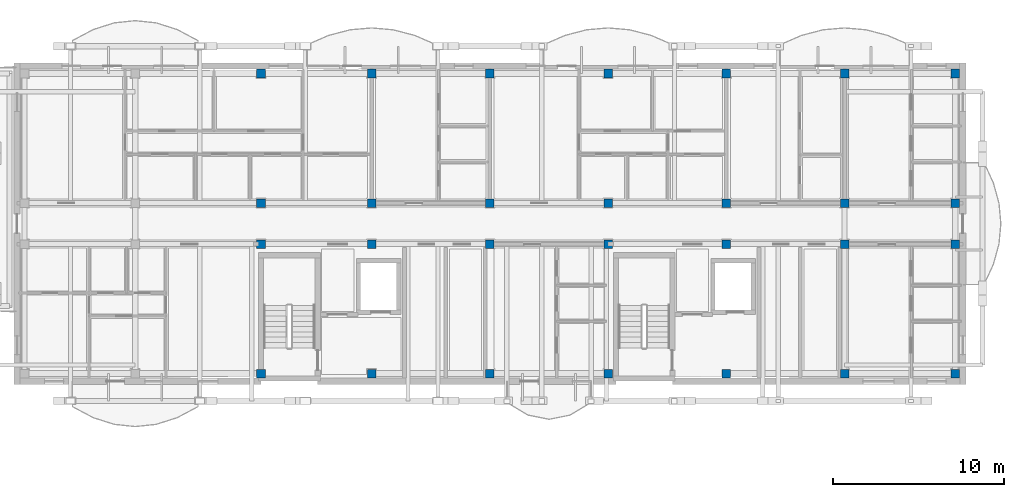
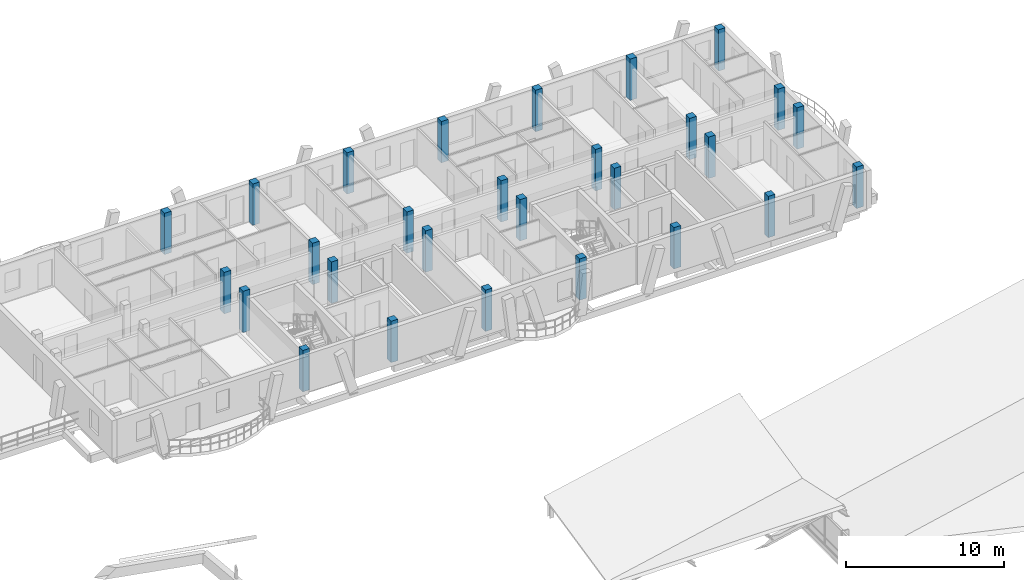
# One storey, part 12 of 109: 28 columns.
"""IFC4 building model written with IfcOpenShell, lengths in metres."""

from ifc_helpers import new_model, si_unit, direction, frame, origin, origin_2d, place, context, subcontext, project, spatial, rectangle, extrude, material, material_profile, profile_set, type_object, element, save


model = new_model("IFC4")

# Units and contexts
model_context = context("Model", 3, precision=1e-05, world=origin(), true_north=direction((0.0, 1.0)))
body_context = subcontext(model_context, "Body", "Model", "MODEL_VIEW")
ifc_project = project(units=[si_unit("LENGTHUNIT", "METRE"), si_unit("AREAUNIT", "SQUARE_METRE"), si_unit("VOLUMEUNIT", "CUBIC_METRE"), si_unit("PLANEANGLEUNIT", "RADIAN"), si_unit("MASSUNIT", "GRAM", prefix="KILO")], contexts=[model_context])

# Site, building, storey
site_placement = place(None, origin())
site = spatial("IfcSite", under=ifc_project, at=site_placement, CompositionType="ELEMENT")
building_placement = place(site_placement, origin())
building = spatial("IfcBuilding", under=site, at=building_placement, Name="Zavelmont Quarter", CompositionType="ELEMENT")
storey_placement = place(building_placement, frame((0.0, 0.0, 8.0)))
storey = spatial("IfcBuildingStorey", under=building, at=storey_placement, Name="L02", CompositionType="ELEMENT", Elevation=8.0)

# Columns
ifc_material = material(Name="Concrete C40/50", Category="concrete")
ifc_material_profile = material_profile(ifc_material, rectangle(XDim=0.5, YDim=0.5, at=origin_2d()), Name="RC500X500")
ifc_profile_set = profile_set([ifc_material_profile], Name="Concrete C40/50")
column_type = type_object("IfcColumnType", Name="CL03", PredefinedType="COLUMN", material=ifc_profile_set)
for number, where, z_axis, x_axis, name in (
    (1, (127.0400390625, 98.0400390625, 0.0), (0.0, 0.0, 1.0), (1.0, 0.0, 0.0), "L02 column CL03 at 19/P"),
    (2, (127.0400390625, 105.60009765625, 0.0), (0.0, 0.0, 1.0), (1.0, 0.0, 0.0), "L02 column CL03 at 19/Q"),
    (3, (127.0400390625, 108.0, 0.0), (0.0, 0.0, 1.0), (1.0, 0.0, 0.0), "L02 column CL03 at 19/R"),
    (4, (127.0400390625, 115.56005859375, 0.0), (0.0, 0.0, 1.0), (1.0, 0.0, 0.0), "L02 column CL03 at 19/S"),
    (5, (133.5, 98.0400390625, 0.0), (0.0, 0.0, 1.0), (1.0, 0.0, 0.0), "L02 column CL03 at 20/P"),
    (6, (133.5, 105.60009765625, 0.0), (0.0, 0.0, 1.0), (1.0, 0.0, 0.0), "L02 column CL03 at 20/Q"),
    (7, (133.5, 108.0, 0.0), (0.0, 0.0, 1.0), (1.0, 0.0, 0.0), "L02 column CL03 at 20/R"),
    (8, (133.5, 115.56005859375, 0.0), (0.0, 0.0, 1.0), (1.0, 0.0, 0.0), "L02 column CL03 at 20/S"),
    (9, (140.39990234375, 98.0400390625, 0.0), (0.0, 0.0, 1.0), (1.0, 0.0, 0.0), "L02 column CL03 at 21/P"),
    (10, (140.39990234375, 105.60009765625, 0.0), (0.0, 0.0, 1.0), (1.0, 0.0, 0.0), "L02 column CL03 at 21/Q"),
    (11, (140.39990234375, 108.0, 0.0), (0.0, 0.0, 1.0), (1.0, 0.0, 0.0), "L02 column CL03 at 21/R"),
    (12, (140.39990234375, 115.56005859375, 0.0), (0.0, 0.0, 1.0), (1.0, 0.0, 0.0), "L02 column CL03 at 21/S"),
    (13, (147.300048828125, 98.0400390625, 0.0), (0.0, 0.0, 1.0), (1.0, 0.0, 0.0), "L02 column CL03 at 22/P"),
    (14, (147.300048828125, 105.60009765625, 0.0), (0.0, 0.0, 1.0), (1.0, 0.0, 0.0), "L02 column CL03 at 22/Q"),
    (15, (147.300048828125, 108.0, 0.0), (0.0, 0.0, 1.0), (1.0, 0.0, 0.0), "L02 column CL03 at 22/R"),
    (16, (147.300048828125, 115.56005859375, 0.0), (0.0, 0.0, 1.0), (1.0, 0.0, 0.0), "L02 column CL03 at 22/S"),
    (17, (154.199951171875, 98.0400390625, 0.0), (0.0, 0.0, 1.0), (1.0, 0.0, 0.0), "L02 column CL03 at 23/P"),
    (18, (154.199951171875, 105.60009765625, 0.0), (0.0, 0.0, 1.0), (1.0, 0.0, 0.0), "L02 column CL03 at 23/Q"),
    (19, (154.199951171875, 108.0, 0.0), (0.0, 0.0, 1.0), (1.0, 0.0, 0.0), "L02 column CL03 at 23/R"),
    (20, (154.199951171875, 115.56005859375, 0.0), (0.0, 0.0, 1.0), (1.0, 0.0, 0.0), "L02 column CL03 at 23/S"),
    (21, (161.10009765625, 98.0400390625, 0.0), (0.0, 0.0, 1.0), (1.0, 0.0, 0.0), "L02 column CL03 at 24/P"),
    (22, (161.10009765625, 105.60009765625, 0.0), (0.0, 0.0, 1.0), (1.0, 0.0, 0.0), "L02 column CL03 at 24/Q"),
    (23, (161.10009765625, 108.0, 0.0), (0.0, 0.0, 1.0), (1.0, 0.0, 0.0), "L02 column CL03 at 24/R"),
    (24, (161.10009765625, 115.56005859375, 0.0), (0.0, 0.0, 1.0), (1.0, 0.0, 0.0), "L02 column CL03 at 24/S"),
    (25, (167.56005859375, 98.0400390625, 0.0), (0.0, 0.0, 1.0), (1.0, 0.0, 0.0), "L02 column CL03 at 25/P"),
    (26, (167.56005859375, 105.60009765625, 0.0), (0.0, 0.0, 1.0), (1.0, 0.0, 0.0), "L02 column CL03 at 25/Q"),
    (27, (167.56005859375, 108.0, 0.0), (0.0, 0.0, 1.0), (1.0, 0.0, 0.0), "L02 column CL03 at 25/R"),
    (28, (167.56005859375, 115.56005859375, 0.0), (0.0, 0.0, 1.0), (1.0, 0.0, 0.0), "L02 column CL03 at 25/S"),
):
    element("IfcColumn", number, at=place(storey_placement, frame(where, z_axis=z_axis, x_axis=x_axis)), inside=storey, type_object=column_type, Name=name, PredefinedType="COLUMN", context=body_context, shape_type="SweptSolid", body=[
        extrude(rectangle(XDim=0.5, YDim=0.5, at=origin_2d()), origin(), (0.0, 0.0, 1.0), 3.199951171875),
    ])

save(model, "model.ifc")
